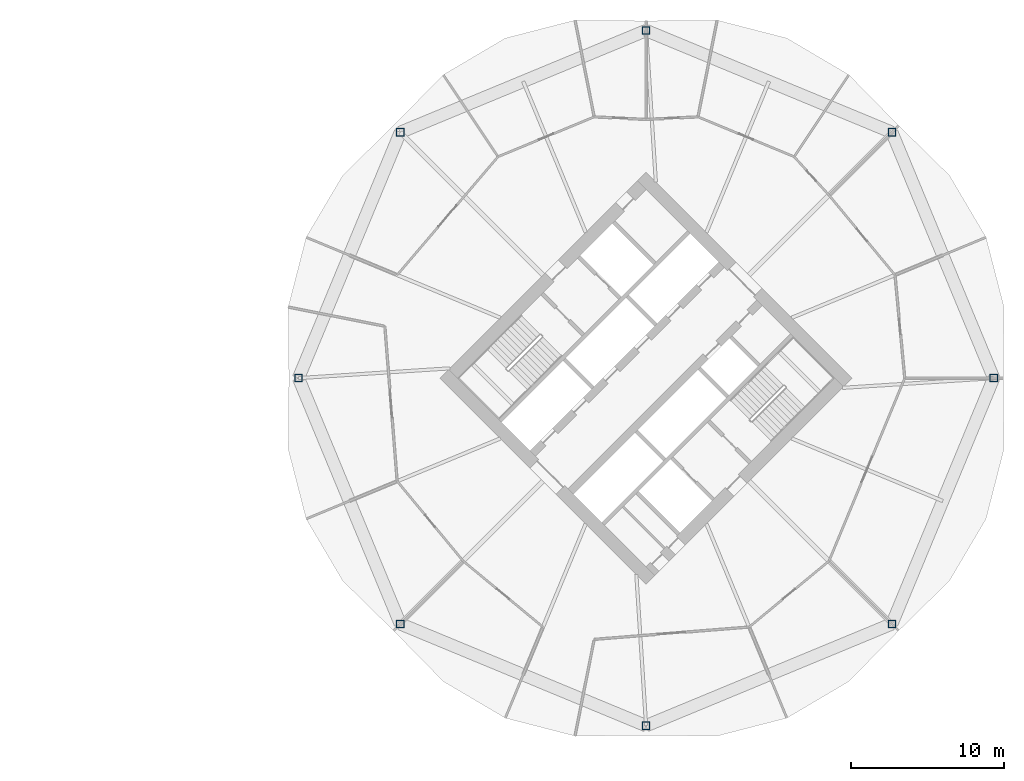
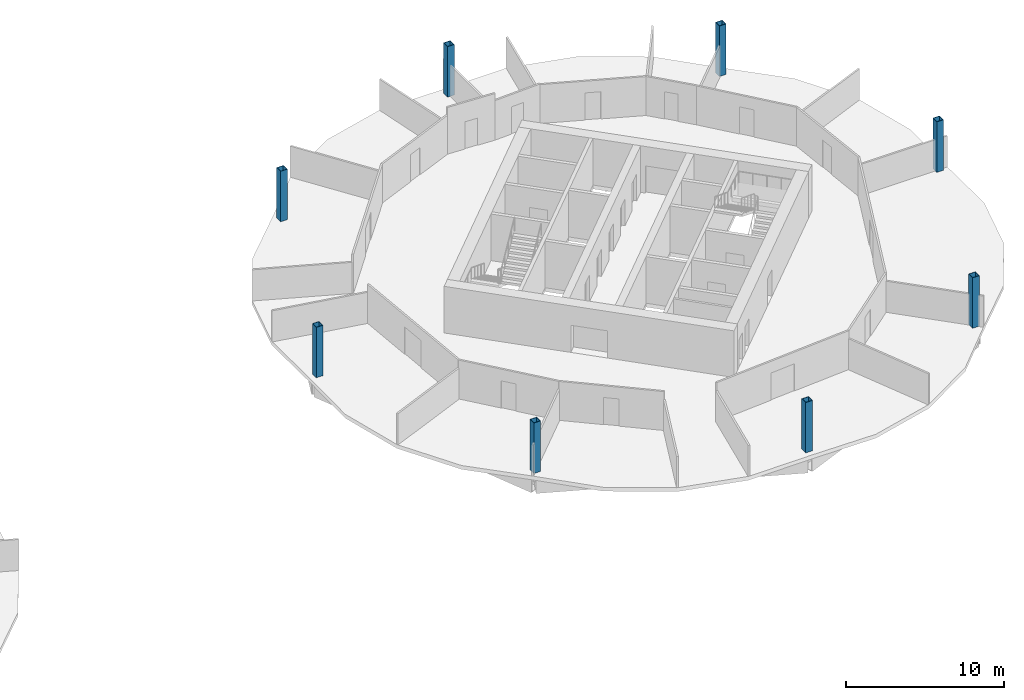
# One storey, part 2 of 9: 8 columns.
"""IFC4 building model written with IfcOpenShell, lengths in metres."""

from ifc_helpers import new_model, si_unit, direction, frame, origin, origin_2d, place, context, subcontext, project, spatial, hollow_rectangle, extrude, material, material_profile, profile_set, type_object, element, save


model = new_model("IFC4")

# Units and contexts
model_context = context("Model", 3, precision=1e-05, world=origin(), true_north=direction((0.0, 1.0)))
body_context = subcontext(model_context, "Body", "Model", "MODEL_VIEW")
ifc_project = project(units=[si_unit("LENGTHUNIT", "METRE"), si_unit("AREAUNIT", "SQUARE_METRE"), si_unit("VOLUMEUNIT", "CUBIC_METRE"), si_unit("PLANEANGLEUNIT", "RADIAN"), si_unit("MASSUNIT", "GRAM", prefix="KILO")], contexts=[model_context])

# Site, building, storey
site_placement = place(None, origin())
site = spatial("IfcSite", under=ifc_project, at=site_placement, CompositionType="ELEMENT")
building_placement = place(site_placement, origin())
building = spatial("IfcBuilding", under=site, at=building_placement, Name="Ogive Gate Towers", CompositionType="ELEMENT")
storey_placement = place(building_placement, frame((0.0, 0.0, 80.10009765625)))
storey = spatial("IfcBuildingStorey", under=building, at=storey_placement, Name="L18", CompositionType="ELEMENT", Elevation=80.10009765625)

# Columns
ifc_material = material(Name="Steel SM460", Category="steel")
ifc_material_profile = material_profile(ifc_material, hollow_rectangle(XDim=0.5, YDim=0.5, WallThickness=0.030029296875, at=origin_2d()), Name="BX 500x500x30")
ifc_profile_set = profile_set([ifc_material_profile], Name="Steel SM460")
column_type = type_object("IfcColumnType", Name="Perimeter post BX 500x500x30", PredefinedType="COLUMN", material=ifc_profile_set)
for number, where, z_axis, x_axis, name in (
    (1, (58.669921875, 0.0, 0.0), (0.0, 0.0, 1.0), (1.0, 0.0, 0.0), "T2/L18/SCL001"),
    (2, (52.030029296875, 16.030029296875, 0.0), (0.0, 0.0, 1.0), (1.0, 0.0, 0.0), "T2/L18/SCL002"),
    (3, (36.0, 22.669921875, 0.0), (0.0, 0.0, 1.0), (1.0, 0.0, 0.0), "T2/L18/SCL003"),
    (4, (19.969970703125, 16.030029296875, 0.0), (0.0, 0.0, 1.0), (1.0, 0.0, 0.0), "T2/L18/SCL004"),
    (5, (13.330078125, 0.0, 0.0), (0.0, 0.0, 1.0), (1.0, 0.0, 0.0), "T2/L18/SCL005"),
    (6, (19.969970703125, -16.030029296875, 0.0), (0.0, 0.0, 1.0), (1.0, 0.0, 0.0), "T2/L18/SCL006"),
    (7, (36.0, -22.669921875, 0.0), (0.0, 0.0, 1.0), (1.0, 0.0, 0.0), "T2/L18/SCL007"),
    (8, (52.030029296875, -16.030029296875, 0.0), (0.0, 0.0, 1.0), (1.0, 0.0, 0.0), "T2/L18/SCL008"),
):
    element("IfcColumn", number, at=place(storey_placement, frame(where, z_axis=z_axis, x_axis=x_axis)), inside=storey, type_object=column_type, Name=name, PredefinedType="COLUMN", context=body_context, shape_type="SweptSolid", body=[
        extrude(hollow_rectangle(XDim=0.5, YDim=0.5, WallThickness=0.030029296875, at=origin_2d()), origin(), (0.0, 0.0, 1.0), 3.89990234375),
    ])

save(model, "model.ifc")
